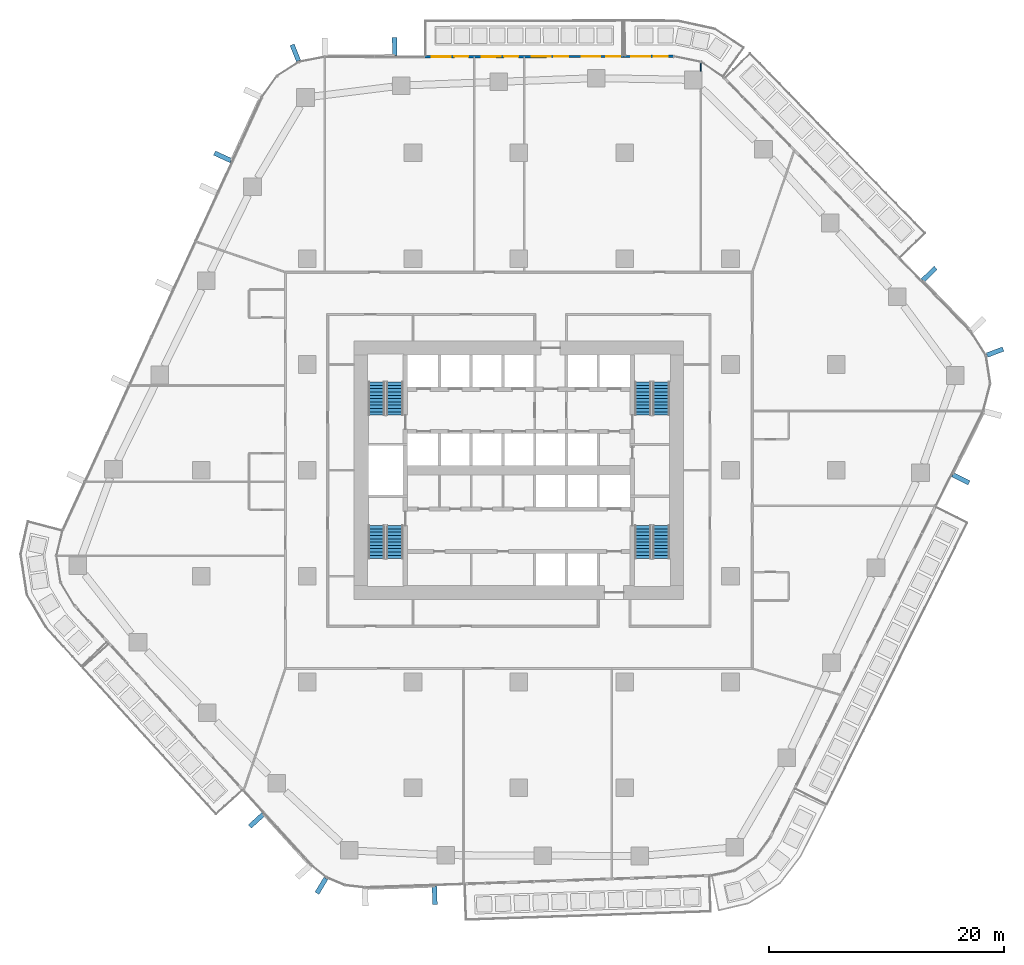
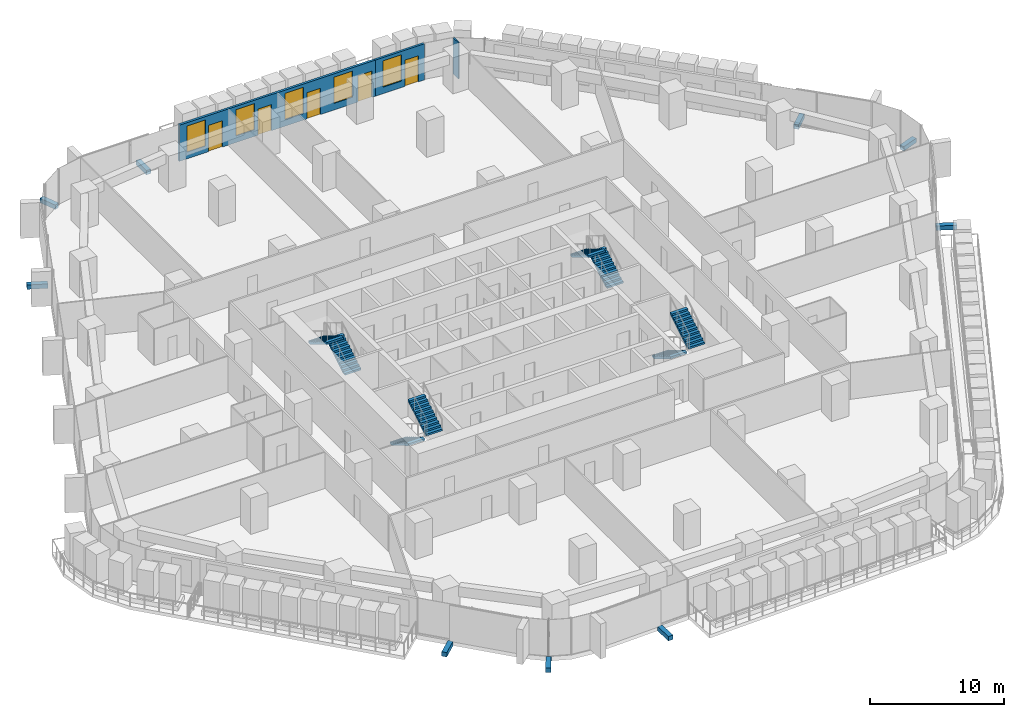
# One storey, part 18 of 26: 9 discrete accessories, 8 stair flights, 5 doors, 5 windows, 3 walls, 10 openings, 4 elements without a shape of their own.
"""IFC4 building model written with IfcOpenShell, lengths in metres."""

from ifc_helpers import new_model, si_unit, direction, frame, frame_2d, origin, origin_2d, place, context, subcontext, project, spatial, polyline, rectangle, outline, extrude, material, layer, layer_set, type_object, element, fill, aggregate, save


model = new_model("IFC4")

# Units and contexts
model_context = context("Model", 3, precision=1e-05, world=origin(), true_north=direction((0.0, 1.0)))
body_context = subcontext(model_context, "Body", "Model", "MODEL_VIEW")
ifc_project = project(units=[si_unit("LENGTHUNIT", "METRE"), si_unit("AREAUNIT", "SQUARE_METRE"), si_unit("VOLUMEUNIT", "CUBIC_METRE"), si_unit("PLANEANGLEUNIT", "RADIAN"), si_unit("MASSUNIT", "GRAM", prefix="KILO")], contexts=[model_context])

# Site, building, storey
site_placement = place(None, origin())
site = spatial("IfcSite", under=ifc_project, at=site_placement, CompositionType="ELEMENT")
building_placement = place(site_placement, origin())
building = spatial("IfcBuilding", under=site, at=building_placement, Name="Dongbaek Canopy Tower", CompositionType="ELEMENT")
storey_placement = place(building_placement, frame((0.0, 0.0, 69.89990234375)))
storey = spatial("IfcBuildingStorey", under=building, at=storey_placement, Name="L13", CompositionType="ELEMENT", Elevation=69.89990234375)

# Wall
ifc_material_1 = material(Name="Gypsum board partition, steel stud, 2 x 12.5 mm board", Category="steel")
ifc_layer_1 = layer(ifc_material_1, 0.10009765625)
ifc_layer_set_1 = layer_set([ifc_layer_1], Name="Partition 100 gypsum board")
wall_type_1 = type_object("IfcWallType", Name="Partition 100 gypsum board", PredefinedType="PARTITIONING", material=ifc_layer_set_1)
wall_1_placement = place(storey_placement, frame((15.47607421875, 33.944091796875, 0.0), z_axis=(0.0, 0.0, 1.0), x_axis=(0.0, 1.0, 0.0)))
element("IfcWall", 1, at=wall_1_placement, inside=storey, type_object=wall_type_1, Name="Partition", PredefinedType="PARTITIONING", context=body_context, shape_type="SweptSolid", body=[
    extrude(rectangle(XDim=0.76171875, YDim=0.10009765625, at=frame_2d((0.380859375, 0.0))), origin(), (0.0, 0.0, 1.0), 3.300048828125),
])

# Wall, openings, doors, windows
ifc_material_2 = material(Name="Aluminium window wall", Category="aluminium")
ifc_layer_2 = layer(ifc_material_2, 0.199951171875)
ifc_layer_set_2 = layer_set([ifc_layer_2], Name="Window wall 200")
wall_type_2 = type_object("IfcWallType", Name="Window wall 200", PredefinedType="SOLIDWALL", material=ifc_layer_set_2)
wall_2_placement = place(storey_placement, frame((8.934326171875, 35.189697265625, 0.0), z_axis=(0.0, 0.0, 1.0), x_axis=(-0.999998964441, -0.001439137329, 0.0)))
wall_2 = element("IfcWall", 2, at=wall_2_placement, inside=storey, type_object=wall_type_2, Name="Window wall L13 2", PredefinedType="SOLIDWALL", context=body_context, shape_type="SweptSolid", body=[
    extrude(rectangle(XDim=16.96435546875, YDim=0.199951171875, at=frame_2d((8.482177734375, 0.0))), origin(), (0.0, 0.0, 1.0), 3.300048828125),
])
opening_1_placement = place(wall_2_placement, frame((2.0, 0.0, 0.60009765625)))
opening_1 = element("IfcOpeningElement", 3, at=opening_1_placement, cuts=wall_2, Name="Opening W1", PredefinedType="OPENING", context=body_context, shape_type="SweptSolid", body=[
    extrude(rectangle(XDim=1.60009765625, YDim=2.39990234375, at=frame_2d((0.800048828125, 1.199951171875))), frame((0.0, 0.10986328125, 0.0), z_axis=(0.0, -1.0, 0.0), x_axis=(1.0, 0.0, 0.0)), (0.0, 0.0, 1.0), 0.219970703125),
])
opening_2_placement = place(wall_2_placement, frame((0.300048828125, 0.0, 0.0)))
opening_2 = element("IfcOpeningElement", 4, at=opening_2_placement, cuts=wall_2, Name="Opening L13-B06", PredefinedType="OPENING", context=body_context, shape_type="SweptSolid", body=[
    extrude(rectangle(XDim=1.199951171875, YDim=2.39990234375, at=frame_2d((0.60009765625, 1.199951171875))), frame((0.0, 0.10986328125, 0.0), z_axis=(0.0, -1.0, 0.0), x_axis=(1.0, 0.0, 0.0)), (0.0, 0.0, 1.0), 0.219970703125),
])
opening_3_placement = place(wall_2_placement, frame((6.2412109375, 0.0, 0.60009765625)))
opening_3 = element("IfcOpeningElement", 5, at=opening_3_placement, cuts=wall_2, Name="Opening W1", PredefinedType="OPENING", context=body_context, shape_type="SweptSolid", body=[
    extrude(rectangle(XDim=1.60009765625, YDim=2.39990234375, at=frame_2d((0.800048828125, 1.199951171875))), frame((0.0, 0.10986328125, 0.0), z_axis=(0.0, -1.0, 0.0), x_axis=(1.0, 0.0, 0.0)), (0.0, 0.0, 1.0), 0.219970703125),
])
opening_4_placement = place(wall_2_placement, frame((4.7412109375, 0.0, 0.0)))
opening_4 = element("IfcOpeningElement", 6, at=opening_4_placement, cuts=wall_2, Name="Opening L13-B07", PredefinedType="OPENING", context=body_context, shape_type="SweptSolid", body=[
    extrude(rectangle(XDim=1.199951171875, YDim=2.39990234375, at=frame_2d((0.60009765625, 1.199951171875))), frame((0.0, 0.10986328125, 0.0), z_axis=(0.0, -1.0, 0.0), x_axis=(1.0, 0.0, 0.0)), (0.0, 0.0, 1.0), 0.219970703125),
])
opening_5_placement = place(wall_2_placement, frame((10.482177734375, 0.0, 0.60009765625)))
opening_5 = element("IfcOpeningElement", 7, at=opening_5_placement, cuts=wall_2, Name="Opening W1", PredefinedType="OPENING", context=body_context, shape_type="SweptSolid", body=[
    extrude(rectangle(XDim=1.60009765625, YDim=2.39990234375, at=frame_2d((0.800048828125, 1.199951171875))), frame((0.0, 0.10986328125, 0.0), z_axis=(0.0, -1.0, 0.0), x_axis=(1.0, 0.0, 0.0)), (0.0, 0.0, 1.0), 0.219970703125),
])
opening_6_placement = place(wall_2_placement, frame((8.982177734375, 0.0, 0.0)))
opening_6 = element("IfcOpeningElement", 8, at=opening_6_placement, cuts=wall_2, Name="Opening L13-B08", PredefinedType="OPENING", context=body_context, shape_type="SweptSolid", body=[
    extrude(rectangle(XDim=1.199951171875, YDim=2.39990234375, at=frame_2d((0.60009765625, 1.199951171875))), frame((0.0, 0.10986328125, 0.0), z_axis=(0.0, -1.0, 0.0), x_axis=(1.0, 0.0, 0.0)), (0.0, 0.0, 1.0), 0.219970703125),
])
opening_7_placement = place(wall_2_placement, frame((14.723388671875, 0.0, 0.60009765625)))
opening_7 = element("IfcOpeningElement", 9, at=opening_7_placement, cuts=wall_2, Name="Opening W1", PredefinedType="OPENING", context=body_context, shape_type="SweptSolid", body=[
    extrude(rectangle(XDim=1.60009765625, YDim=2.39990234375, at=frame_2d((0.800048828125, 1.199951171875))), frame((0.0, 0.10986328125, 0.0), z_axis=(0.0, -1.0, 0.0), x_axis=(1.0, 0.0, 0.0)), (0.0, 0.0, 1.0), 0.219970703125),
])
opening_8_placement = place(wall_2_placement, frame((13.223388671875, 0.0, 0.0)))
opening_8 = element("IfcOpeningElement", 10, at=opening_8_placement, cuts=wall_2, Name="Opening L13-B09", PredefinedType="OPENING", context=body_context, shape_type="SweptSolid", body=[
    extrude(rectangle(XDim=1.199951171875, YDim=2.39990234375, at=frame_2d((0.60009765625, 1.199951171875))), frame((0.0, 0.10986328125, 0.0), z_axis=(0.0, -1.0, 0.0), x_axis=(1.0, 0.0, 0.0)), (0.0, 0.0, 1.0), 0.219970703125),
])
ifc_material_3 = material(Name="Clear glazing in aluminium frame", Category="aluminium")
door_type = type_object("IfcDoorType", Name="Balcony door BD1 1200 x 2400", OperationType="SLIDING_TO_LEFT", PredefinedType="DOOR", material=ifc_material_3)
door_1_placement = place(opening_2_placement, origin())
door_1 = element("IfcDoor", 11, at=door_1_placement, inside=storey, type_object=door_type, Name="Balcony door L13-B06", OperationType="SLIDING_TO_LEFT", OverallHeight=2.39990234375, OverallWidth=1.199951171875, PredefinedType="DOOR", context=body_context, shape_type="SweptSolid", body=[
    extrude(rectangle(XDim=1.199951171875, YDim=2.39990234375, at=frame_2d((0.60009765625, 1.199951171875))), frame((0.0, 0.02490234375, 0.0), z_axis=(0.0, -1.0, 0.0), x_axis=(1.0, 0.0, 0.0)), (0.0, 0.0, 1.0), 0.050048828125),
])
fill(opening_2, door_1)
door_2_placement = place(opening_4_placement, origin())
door_2 = element("IfcDoor", 12, at=door_2_placement, inside=storey, type_object=door_type, Name="Balcony door L13-B07", OperationType="SLIDING_TO_LEFT", OverallHeight=2.39990234375, OverallWidth=1.199951171875, PredefinedType="DOOR", context=body_context, shape_type="SweptSolid", body=[
    extrude(rectangle(XDim=1.199951171875, YDim=2.39990234375, at=frame_2d((0.60009765625, 1.199951171875))), frame((0.0, 0.02490234375, 0.0), z_axis=(0.0, -1.0, 0.0), x_axis=(1.0, 0.0, 0.0)), (0.0, 0.0, 1.0), 0.050048828125),
])
fill(opening_4, door_2)
door_3_placement = place(opening_6_placement, origin())
door_3 = element("IfcDoor", 13, at=door_3_placement, inside=storey, type_object=door_type, Name="Balcony door L13-B08", OperationType="SLIDING_TO_LEFT", OverallHeight=2.39990234375, OverallWidth=1.199951171875, PredefinedType="DOOR", context=body_context, shape_type="SweptSolid", body=[
    extrude(rectangle(XDim=1.199951171875, YDim=2.39990234375, at=frame_2d((0.60009765625, 1.199951171875))), frame((0.0, 0.02490234375, 0.0), z_axis=(0.0, -1.0, 0.0), x_axis=(1.0, 0.0, 0.0)), (0.0, 0.0, 1.0), 0.050048828125),
])
fill(opening_6, door_3)
door_4_placement = place(opening_8_placement, origin())
door_4 = element("IfcDoor", 14, at=door_4_placement, inside=storey, type_object=door_type, Name="Balcony door L13-B09", OperationType="SLIDING_TO_LEFT", OverallHeight=2.39990234375, OverallWidth=1.199951171875, PredefinedType="DOOR", context=body_context, shape_type="SweptSolid", body=[
    extrude(rectangle(XDim=1.199951171875, YDim=2.39990234375, at=frame_2d((0.60009765625, 1.199951171875))), frame((0.0, 0.02490234375, 0.0), z_axis=(0.0, -1.0, 0.0), x_axis=(1.0, 0.0, 0.0)), (0.0, 0.0, 1.0), 0.050048828125),
])
fill(opening_8, door_4)
ifc_material_4 = material(Name="Clear glazing in aluminium frame", Category="aluminium")
window_type = type_object("IfcWindowType", Name="Window W1 1600 x 2400", PartitioningType="SINGLE_PANEL", PredefinedType="WINDOW", material=ifc_material_4)
window_1_placement = place(opening_1_placement, origin())
window_1 = element("IfcWindow", 15, at=window_1_placement, inside=storey, type_object=window_type, Name="Window L13 2.1", OverallHeight=2.39990234375, OverallWidth=1.60009765625, PartitioningType="SINGLE_PANEL", PredefinedType="WINDOW", context=body_context, shape_type="SweptSolid", body=[
    extrude(rectangle(XDim=1.60009765625, YDim=2.39990234375, at=frame_2d((0.800048828125, 1.199951171875))), frame((0.0, 0.030029296875, 0.0), z_axis=(0.0, -1.0, 0.0), x_axis=(1.0, 0.0, 0.0)), (0.0, 0.0, 1.0), 0.06005859375),
])
fill(opening_1, window_1)
window_2_placement = place(opening_3_placement, origin())
window_2 = element("IfcWindow", 16, at=window_2_placement, inside=storey, type_object=window_type, Name="Window L13 2.2", OverallHeight=2.39990234375, OverallWidth=1.60009765625, PartitioningType="SINGLE_PANEL", PredefinedType="WINDOW", context=body_context, shape_type="SweptSolid", body=[
    extrude(rectangle(XDim=1.60009765625, YDim=2.39990234375, at=frame_2d((0.800048828125, 1.199951171875))), frame((0.0, 0.030029296875, 0.0), z_axis=(0.0, -1.0, 0.0), x_axis=(1.0, 0.0, 0.0)), (0.0, 0.0, 1.0), 0.06005859375),
])
fill(opening_3, window_2)
window_3_placement = place(opening_5_placement, origin())
window_3 = element("IfcWindow", 17, at=window_3_placement, inside=storey, type_object=window_type, Name="Window L13 2.3", OverallHeight=2.39990234375, OverallWidth=1.60009765625, PartitioningType="SINGLE_PANEL", PredefinedType="WINDOW", context=body_context, shape_type="SweptSolid", body=[
    extrude(rectangle(XDim=1.60009765625, YDim=2.39990234375, at=frame_2d((0.800048828125, 1.199951171875))), frame((0.0, 0.030029296875, 0.0), z_axis=(0.0, -1.0, 0.0), x_axis=(1.0, 0.0, 0.0)), (0.0, 0.0, 1.0), 0.06005859375),
])
fill(opening_5, window_3)
window_4_placement = place(opening_7_placement, origin())
window_4 = element("IfcWindow", 18, at=window_4_placement, inside=storey, type_object=window_type, Name="Window L13 2.4", OverallHeight=2.39990234375, OverallWidth=1.60009765625, PartitioningType="SINGLE_PANEL", PredefinedType="WINDOW", context=body_context, shape_type="SweptSolid", body=[
    extrude(rectangle(XDim=1.60009765625, YDim=2.39990234375, at=frame_2d((0.800048828125, 1.199951171875))), frame((0.0, 0.030029296875, 0.0), z_axis=(0.0, -1.0, 0.0), x_axis=(1.0, 0.0, 0.0)), (0.0, 0.0, 1.0), 0.06005859375),
])
fill(opening_7, window_4)

# Wall, openings, door, window
wall_3_placement = place(storey_placement, frame((13.16552734375, 35.19580078125, 0.0), z_axis=(0.0, 0.0, 1.0), x_axis=(-0.999998959596, -0.001442500374, 0.0)))
wall_3 = element("IfcWall", 19, at=wall_3_placement, inside=storey, type_object=wall_type_2, Name="Window wall L13 6", PredefinedType="SOLIDWALL", context=body_context, shape_type="SweptSolid", body=[
    extrude(rectangle(XDim=4.231201171875, YDim=0.199951171875, at=frame_2d((2.11572265625, 0.0))), origin(), (0.0, 0.0, 1.0), 3.300048828125),
])
opening_9_placement = place(wall_3_placement, frame((2.0, 0.0, 0.60009765625)))
opening_9 = element("IfcOpeningElement", 20, at=opening_9_placement, cuts=wall_3, Name="Opening W1", PredefinedType="OPENING", context=body_context, shape_type="SweptSolid", body=[
    extrude(rectangle(XDim=1.60009765625, YDim=2.39990234375, at=frame_2d((0.800048828125, 1.199951171875))), frame((0.0, 0.10986328125, 0.0), z_axis=(0.0, -1.0, 0.0), x_axis=(1.0, 0.0, 0.0)), (0.0, 0.0, 1.0), 0.219970703125),
])
opening_10_placement = place(wall_3_placement, frame((0.5, 0.0, 0.0)))
opening_10 = element("IfcOpeningElement", 21, at=opening_10_placement, cuts=wall_3, Name="Opening L13-B10", PredefinedType="OPENING", context=body_context, shape_type="SweptSolid", body=[
    extrude(rectangle(XDim=1.199951171875, YDim=2.39990234375, at=frame_2d((0.60009765625, 1.199951171875))), frame((0.0, 0.10986328125, 0.0), z_axis=(0.0, -1.0, 0.0), x_axis=(1.0, 0.0, 0.0)), (0.0, 0.0, 1.0), 0.219970703125),
])
door_5_placement = place(opening_10_placement, origin())
door_5 = element("IfcDoor", 22, at=door_5_placement, inside=storey, type_object=door_type, Name="Balcony door L13-B10", OperationType="SLIDING_TO_LEFT", OverallHeight=2.39990234375, OverallWidth=1.199951171875, PredefinedType="DOOR", context=body_context, shape_type="SweptSolid", body=[
    extrude(rectangle(XDim=1.199951171875, YDim=2.39990234375, at=frame_2d((0.60009765625, 1.199951171875))), frame((0.0, 0.02490234375, 0.0), z_axis=(0.0, -1.0, 0.0), x_axis=(1.0, 0.0, 0.0)), (0.0, 0.0, 1.0), 0.050048828125),
])
fill(opening_10, door_5)
window_5_placement = place(opening_9_placement, origin())
window_5 = element("IfcWindow", 23, at=window_5_placement, inside=storey, type_object=window_type, Name="Window L13 6.1", OverallHeight=2.39990234375, OverallWidth=1.60009765625, PartitioningType="SINGLE_PANEL", PredefinedType="WINDOW", context=body_context, shape_type="SweptSolid", body=[
    extrude(rectangle(XDim=1.60009765625, YDim=2.39990234375, at=frame_2d((0.800048828125, 1.199951171875))), frame((0.0, 0.030029296875, 0.0), z_axis=(0.0, -1.0, 0.0), x_axis=(1.0, 0.0, 0.0)), (0.0, 0.0, 1.0), 0.06005859375),
])
fill(opening_9, window_5)

# Stair, stair flights
ifc_material_5 = material(Name="Concrete C40/50", Category="concrete")
stair_type = type_object("IfcStairType", Name="Core exit stair", PredefinedType="HALF_TURN_STAIR", material=ifc_material_5)
stair_1_placement = place(storey_placement, origin())
stair_1 = element("IfcStair", 24, at=stair_1_placement, inside=storey, type_object=stair_type, Name="L13 exit stair A", PredefinedType="HALF_TURN_STAIR")
ifc_material_6 = material(Name="Concrete C40/50", Category="concrete")
ifc_layer_3 = layer(ifc_material_6, 0.14990234375)
ifc_layer_set_3 = layer_set([ifc_layer_3], Name="Core stair flight 150 waist")
stair_flight_type = type_object("IfcStairFlightType", Name="Core stair flight 150 waist", PredefinedType="STRAIGHT", material=ifc_layer_set_3)
stair_flight_1_placement = place(storey_placement, frame((12.10009765625, 4.699951171875, 0.0), z_axis=(0.0, 0.0, 1.0), x_axis=(0.0, 1.0, 0.0)))
stair_flight_1 = element("IfcStairFlight", 25, at=stair_flight_1_placement, type_object=stair_flight_type, Name="ST-A flight 1", NumberOfRisers=11, NumberOfTreads=10, PredefinedType="STRAIGHT", RiserHeight=0.168181818, TreadLength=0.28, context=body_context, shape_type="SweptSolid", body=[
    extrude(outline(polyline([(0.0, 0.0), (0.0, 0.168212890625), (0.280029296875, 0.168212890625), (0.280029296875, 0.33642578125), (0.56005859375, 0.33642578125), (0.56005859375, 0.504638671875), (0.840087890625, 0.504638671875), (0.840087890625, 0.672607421875), (1.1201171875, 0.672607421875), (1.1201171875, 0.8408203125), (1.39990234375, 0.8408203125), (1.39990234375, 1.009033203125), (1.679931640625, 1.009033203125), (1.679931640625, 1.17724609375), (1.9599609375, 1.17724609375), (1.9599609375, 1.345458984375), (2.239990234375, 1.345458984375), (2.239990234375, 1.513671875), (2.52001953125, 1.513671875), (2.52001953125, 1.681884765625), (2.800048828125, 1.681884765625), (2.800048828125, 1.85009765625), (2.800048828125, 1.5068359375), (0.291015625, 0.0), (0.0, 0.0)])), frame((0.0, 0.699951171875, 0.0), z_axis=(0.0, -1.0, 0.0), x_axis=(1.0, 0.0, 0.0)), (0.0, 0.0, 1.0), 1.39990234375),
])
stair_flight_2_placement = place(storey_placement, frame((10.550048828125, 7.5, 1.85009765625), z_axis=(0.0, 0.0, 1.0), x_axis=(0.0, -1.0, 0.0)))
stair_flight_2 = element("IfcStairFlight", 26, at=stair_flight_2_placement, type_object=stair_flight_type, Name="ST-A flight 2", NumberOfRisers=11, NumberOfTreads=10, PredefinedType="STRAIGHT", RiserHeight=0.168181818, TreadLength=0.28, context=body_context, shape_type="SweptSolid", body=[
    extrude(outline(polyline([(0.0, 0.0), (0.0, 0.168212890625), (0.280029296875, 0.168212890625), (0.280029296875, 0.33642578125), (0.56005859375, 0.33642578125), (0.56005859375, 0.504638671875), (0.840087890625, 0.504638671875), (0.840087890625, 0.672607421875), (1.1201171875, 0.672607421875), (1.1201171875, 0.8408203125), (1.39990234375, 0.8408203125), (1.39990234375, 1.009033203125), (1.679931640625, 1.009033203125), (1.679931640625, 1.17724609375), (1.9599609375, 1.17724609375), (1.9599609375, 1.345458984375), (2.239990234375, 1.345458984375), (2.239990234375, 1.513671875), (2.52001953125, 1.513671875), (2.52001953125, 1.681884765625), (2.800048828125, 1.681884765625), (2.800048828125, 1.85009765625), (2.800048828125, 1.5068359375), (0.291015625, 0.0), (0.0, 0.0)])), frame((0.0, 0.699951171875, 0.0), z_axis=(0.0, -1.0, 0.0), x_axis=(1.0, 0.0, 0.0)), (0.0, 0.0, 1.0), 1.39990234375),
])
aggregate(stair_1, [stair_flight_1, stair_flight_2])

stair_2_placement = place(storey_placement, origin())
stair_2 = element("IfcStair", 27, at=stair_2_placement, inside=storey, type_object=stair_type, Name="L13 exit stair C", PredefinedType="HALF_TURN_STAIR")
stair_flight_3_placement = place(storey_placement, frame((-10.550048828125, 4.699951171875, 0.0), z_axis=(0.0, 0.0, 1.0), x_axis=(0.0, 1.0, 0.0)))
stair_flight_3 = element("IfcStairFlight", 28, at=stair_flight_3_placement, type_object=stair_flight_type, Name="ST-C flight 1", NumberOfRisers=11, NumberOfTreads=10, PredefinedType="STRAIGHT", RiserHeight=0.168181818, TreadLength=0.28, context=body_context, shape_type="SweptSolid", body=[
    extrude(outline(polyline([(0.0, 0.0), (0.0, 0.168212890625), (0.280029296875, 0.168212890625), (0.280029296875, 0.33642578125), (0.56005859375, 0.33642578125), (0.56005859375, 0.504638671875), (0.840087890625, 0.504638671875), (0.840087890625, 0.672607421875), (1.1201171875, 0.672607421875), (1.1201171875, 0.8408203125), (1.39990234375, 0.8408203125), (1.39990234375, 1.009033203125), (1.679931640625, 1.009033203125), (1.679931640625, 1.17724609375), (1.9599609375, 1.17724609375), (1.9599609375, 1.345458984375), (2.239990234375, 1.345458984375), (2.239990234375, 1.513671875), (2.52001953125, 1.513671875), (2.52001953125, 1.681884765625), (2.800048828125, 1.681884765625), (2.800048828125, 1.85009765625), (2.800048828125, 1.5068359375), (0.291015625, 0.0), (0.0, 0.0)])), frame((0.0, 0.699951171875, 0.0), z_axis=(0.0, -1.0, 0.0), x_axis=(1.0, 0.0, 0.0)), (0.0, 0.0, 1.0), 1.39990234375),
])
stair_flight_4_placement = place(storey_placement, frame((-12.10009765625, 7.5, 1.85009765625), z_axis=(0.0, 0.0, 1.0), x_axis=(0.0, -1.0, 0.0)))
stair_flight_4 = element("IfcStairFlight", 29, at=stair_flight_4_placement, type_object=stair_flight_type, Name="ST-C flight 2", NumberOfRisers=11, NumberOfTreads=10, PredefinedType="STRAIGHT", RiserHeight=0.168181818, TreadLength=0.28, context=body_context, shape_type="SweptSolid", body=[
    extrude(outline(polyline([(0.0, 0.0), (0.0, 0.168212890625), (0.280029296875, 0.168212890625), (0.280029296875, 0.33642578125), (0.56005859375, 0.33642578125), (0.56005859375, 0.504638671875), (0.840087890625, 0.504638671875), (0.840087890625, 0.672607421875), (1.1201171875, 0.672607421875), (1.1201171875, 0.8408203125), (1.39990234375, 0.8408203125), (1.39990234375, 1.009033203125), (1.679931640625, 1.009033203125), (1.679931640625, 1.17724609375), (1.9599609375, 1.17724609375), (1.9599609375, 1.345458984375), (2.239990234375, 1.345458984375), (2.239990234375, 1.513671875), (2.52001953125, 1.513671875), (2.52001953125, 1.681884765625), (2.800048828125, 1.681884765625), (2.800048828125, 1.85009765625), (2.800048828125, 1.5068359375), (0.291015625, 0.0), (0.0, 0.0)])), frame((0.0, 0.699951171875, 0.0), z_axis=(0.0, -1.0, 0.0), x_axis=(1.0, 0.0, 0.0)), (0.0, 0.0, 1.0), 1.39990234375),
])
aggregate(stair_2, [stair_flight_3, stair_flight_4])

stair_3_placement = place(storey_placement, origin())
stair_3 = element("IfcStair", 30, at=stair_3_placement, inside=storey, type_object=stair_type, Name="L13 exit stair B", PredefinedType="HALF_TURN_STAIR")
stair_flight_5_placement = place(storey_placement, frame((10.550048828125, -4.699951171875, 0.0), z_axis=(0.0, 0.0, 1.0), x_axis=(0.0, -1.0, 0.0)))
stair_flight_5 = element("IfcStairFlight", 31, at=stair_flight_5_placement, type_object=stair_flight_type, Name="ST-B flight 1", NumberOfRisers=11, NumberOfTreads=10, PredefinedType="STRAIGHT", RiserHeight=0.168181818, TreadLength=0.28, context=body_context, shape_type="SweptSolid", body=[
    extrude(outline(polyline([(0.0, 0.0), (0.0, 0.168212890625), (0.280029296875, 0.168212890625), (0.280029296875, 0.33642578125), (0.56005859375, 0.33642578125), (0.56005859375, 0.504638671875), (0.840087890625, 0.504638671875), (0.840087890625, 0.672607421875), (1.1201171875, 0.672607421875), (1.1201171875, 0.8408203125), (1.39990234375, 0.8408203125), (1.39990234375, 1.009033203125), (1.679931640625, 1.009033203125), (1.679931640625, 1.17724609375), (1.9599609375, 1.17724609375), (1.9599609375, 1.345458984375), (2.239990234375, 1.345458984375), (2.239990234375, 1.513671875), (2.52001953125, 1.513671875), (2.52001953125, 1.681884765625), (2.800048828125, 1.681884765625), (2.800048828125, 1.85009765625), (2.800048828125, 1.5068359375), (0.291015625, 0.0), (0.0, 0.0)])), frame((0.0, 0.699951171875, 0.0), z_axis=(0.0, -1.0, 0.0), x_axis=(1.0, 0.0, 0.0)), (0.0, 0.0, 1.0), 1.39990234375),
])
stair_flight_6_placement = place(storey_placement, frame((12.10009765625, -7.5, 1.85009765625), z_axis=(0.0, 0.0, 1.0), x_axis=(0.0, 1.0, 0.0)))
stair_flight_6 = element("IfcStairFlight", 32, at=stair_flight_6_placement, type_object=stair_flight_type, Name="ST-B flight 2", NumberOfRisers=11, NumberOfTreads=10, PredefinedType="STRAIGHT", RiserHeight=0.168181818, TreadLength=0.28, context=body_context, shape_type="SweptSolid", body=[
    extrude(outline(polyline([(0.0, 0.0), (0.0, 0.168212890625), (0.280029296875, 0.168212890625), (0.280029296875, 0.33642578125), (0.56005859375, 0.33642578125), (0.56005859375, 0.504638671875), (0.840087890625, 0.504638671875), (0.840087890625, 0.672607421875), (1.1201171875, 0.672607421875), (1.1201171875, 0.8408203125), (1.39990234375, 0.8408203125), (1.39990234375, 1.009033203125), (1.679931640625, 1.009033203125), (1.679931640625, 1.17724609375), (1.9599609375, 1.17724609375), (1.9599609375, 1.345458984375), (2.239990234375, 1.345458984375), (2.239990234375, 1.513671875), (2.52001953125, 1.513671875), (2.52001953125, 1.681884765625), (2.800048828125, 1.681884765625), (2.800048828125, 1.85009765625), (2.800048828125, 1.5068359375), (0.291015625, 0.0), (0.0, 0.0)])), frame((0.0, 0.699951171875, 0.0), z_axis=(0.0, -1.0, 0.0), x_axis=(1.0, 0.0, 0.0)), (0.0, 0.0, 1.0), 1.39990234375),
])
aggregate(stair_3, [stair_flight_5, stair_flight_6])

stair_4_placement = place(storey_placement, origin())
stair_4 = element("IfcStair", 33, at=stair_4_placement, inside=storey, type_object=stair_type, Name="L13 exit stair D", PredefinedType="HALF_TURN_STAIR")
stair_flight_7_placement = place(storey_placement, frame((-12.10009765625, -4.699951171875, 0.0), z_axis=(0.0, 0.0, 1.0), x_axis=(0.0, -1.0, 0.0)))
stair_flight_7 = element("IfcStairFlight", 34, at=stair_flight_7_placement, type_object=stair_flight_type, Name="ST-D flight 1", NumberOfRisers=11, NumberOfTreads=10, PredefinedType="STRAIGHT", RiserHeight=0.168181818, TreadLength=0.28, context=body_context, shape_type="SweptSolid", body=[
    extrude(outline(polyline([(0.0, 0.0), (0.0, 0.168212890625), (0.280029296875, 0.168212890625), (0.280029296875, 0.33642578125), (0.56005859375, 0.33642578125), (0.56005859375, 0.504638671875), (0.840087890625, 0.504638671875), (0.840087890625, 0.672607421875), (1.1201171875, 0.672607421875), (1.1201171875, 0.8408203125), (1.39990234375, 0.8408203125), (1.39990234375, 1.009033203125), (1.679931640625, 1.009033203125), (1.679931640625, 1.17724609375), (1.9599609375, 1.17724609375), (1.9599609375, 1.345458984375), (2.239990234375, 1.345458984375), (2.239990234375, 1.513671875), (2.52001953125, 1.513671875), (2.52001953125, 1.681884765625), (2.800048828125, 1.681884765625), (2.800048828125, 1.85009765625), (2.800048828125, 1.5068359375), (0.291015625, 0.0), (0.0, 0.0)])), frame((0.0, 0.699951171875, 0.0), z_axis=(0.0, -1.0, 0.0), x_axis=(1.0, 0.0, 0.0)), (0.0, 0.0, 1.0), 1.39990234375),
])
stair_flight_8_placement = place(storey_placement, frame((-10.550048828125, -7.5, 1.85009765625), z_axis=(0.0, 0.0, 1.0), x_axis=(0.0, 1.0, 0.0)))
stair_flight_8 = element("IfcStairFlight", 35, at=stair_flight_8_placement, type_object=stair_flight_type, Name="ST-D flight 2", NumberOfRisers=11, NumberOfTreads=10, PredefinedType="STRAIGHT", RiserHeight=0.168181818, TreadLength=0.28, context=body_context, shape_type="SweptSolid", body=[
    extrude(outline(polyline([(0.0, 0.0), (0.0, 0.168212890625), (0.280029296875, 0.168212890625), (0.280029296875, 0.33642578125), (0.56005859375, 0.33642578125), (0.56005859375, 0.504638671875), (0.840087890625, 0.504638671875), (0.840087890625, 0.672607421875), (1.1201171875, 0.672607421875), (1.1201171875, 0.8408203125), (1.39990234375, 0.8408203125), (1.39990234375, 1.009033203125), (1.679931640625, 1.009033203125), (1.679931640625, 1.17724609375), (1.9599609375, 1.17724609375), (1.9599609375, 1.345458984375), (2.239990234375, 1.345458984375), (2.239990234375, 1.513671875), (2.52001953125, 1.513671875), (2.52001953125, 1.681884765625), (2.800048828125, 1.681884765625), (2.800048828125, 1.85009765625), (2.800048828125, 1.5068359375), (0.291015625, 0.0), (0.0, 0.0)])), frame((0.0, 0.699951171875, 0.0), z_axis=(0.0, -1.0, 0.0), x_axis=(1.0, 0.0, 0.0)), (0.0, 0.0, 1.0), 1.39990234375),
])
aggregate(stair_4, [stair_flight_7, stair_flight_8])

# Discrete accessories
ifc_material_7 = material(Name="Galvanised steel S355 bracket", Category="steel")
discrete_accessory_type = type_object("IfcDiscreteAccessoryType", Name="Crease fin bracket BR3 400", PredefinedType="BRACKET", material=ifc_material_7)
discrete_accessory_1_placement = place(storey_placement, frame((37.5751953125, -0.71435546875, -0.39990234375), z_axis=(0.0, 0.0, 1.0), x_axis=(0.89482297075, -0.446421158793, 0.0)))
element("IfcDiscreteAccessory", 36, at=discrete_accessory_1_placement, inside=storey, type_object=discrete_accessory_type, Name="Crease fin bracket L13 F5", PredefinedType="BRACKET", context=body_context, shape_type="SweptSolid", body=[
    extrude(rectangle(XDim=1.5625, YDim=0.39990234375, at=origin_2d()), origin(), (0.0, 0.0, 1.0), 0.39990234375),
])
discrete_accessory_2_placement = place(storey_placement, frame((34.890625, 16.68017578125, -0.39990234375), z_axis=(0.0, 0.0, 1.0), x_axis=(0.717186761039, 0.696881015519, 0.0)))
element("IfcDiscreteAccessory", 37, at=discrete_accessory_2_placement, inside=storey, type_object=discrete_accessory_type, Name="Crease fin bracket L13 F0", PredefinedType="BRACKET", context=body_context, shape_type="SweptSolid", body=[
    extrude(rectangle(XDim=1.552490234375, YDim=0.39990234375, at=origin_2d()), origin(), (0.0, 0.0, 1.0), 0.39990234375),
])
discrete_accessory_3_placement = place(storey_placement, frame((-10.563720703125, 36.03857421875, -0.39990234375), z_axis=(0.0, 0.0, 1.0), x_axis=(-0.001434660153, 0.999998970875, 0.0)))
element("IfcDiscreteAccessory", 38, at=discrete_accessory_3_placement, inside=storey, type_object=discrete_accessory_type, Name="Crease fin bracket L13 F1", PredefinedType="BRACKET", context=body_context, shape_type="SweptSolid", body=[
    extrude(rectangle(XDim=1.5537109375, YDim=0.39990234375, at=origin_2d()), origin(), (0.0, 0.0, 1.0), 0.39990234375),
])
discrete_accessory_4_placement = place(storey_placement, frame((-25.16796875, 26.652099609375, -0.39990234375), z_axis=(0.0, 0.0, 1.0), x_axis=(-0.908435961718, 0.418024046506, 0.0)))
element("IfcDiscreteAccessory", 39, at=discrete_accessory_4_placement, inside=storey, type_object=discrete_accessory_type, Name="Crease fin bracket L13 F2", PredefinedType="BRACKET", context=body_context, shape_type="SweptSolid", body=[
    extrude(rectangle(XDim=1.566650390625, YDim=0.39990234375, at=origin_2d()), origin(), (0.0, 0.0, 1.0), 0.39990234375),
])
discrete_accessory_5_placement = place(storey_placement, frame((-22.29931640625, -29.760986328125, -0.39990234375), z_axis=(0.0, 0.0, 1.0), x_axis=(-0.738720081608, -0.674012344864, 0.0)))
element("IfcDiscreteAccessory", 40, at=discrete_accessory_5_placement, inside=storey, type_object=discrete_accessory_type, Name="Crease fin bracket L13 F3", PredefinedType="BRACKET", context=body_context, shape_type="SweptSolid", body=[
    extrude(rectangle(XDim=1.56298828125, YDim=0.39990234375, at=origin_2d()), origin(), (0.0, 0.0, 1.0), 0.39990234375),
])
discrete_accessory_6_placement = place(storey_placement, frame((-7.15576171875, -36.131591796875, -0.39990234375), z_axis=(0.0, 0.0, 1.0), x_axis=(0.03393315715, -0.999424104595, 0.0)))
element("IfcDiscreteAccessory", 41, at=discrete_accessory_6_placement, inside=storey, type_object=discrete_accessory_type, Name="Crease fin bracket L13 F4", PredefinedType="BRACKET", context=body_context, shape_type="SweptSolid", body=[
    extrude(rectangle(XDim=1.559814453125, YDim=0.39990234375, at=origin_2d()), origin(), (0.0, 0.0, 1.0), 0.39990234375),
])
for number, where, z_axis, x_axis, name in (
    (42, (40.489501953125, 10.05322265625, -0.39990234375), (0.0, 0.0, 1.0), (0.935976609021, 0.352062192468, 0.0), "Corner fin bracket L13 K0"),
    (43, (-19.007080078125, 35.505615234375, -0.39990234375), (0.0, 0.0, 1.0), (-0.371661129954, 0.928368463748, 0.0), "Corner fin bracket L13 K2"),
    (44, (-16.784912109375, -35.323486328125, -0.39990234375), (0.0, 0.0, 1.0), (-0.516534823334, -0.856266183078, 0.0), "Corner fin bracket L13 K4"),
):
    element("IfcDiscreteAccessory", number, at=place(storey_placement, frame(where, z_axis=z_axis, x_axis=x_axis)), inside=storey, type_object=discrete_accessory_type, Name=name, PredefinedType="BRACKET", context=body_context, shape_type="SweptSolid", body=[
        extrude(rectangle(XDim=1.469970703125, YDim=0.39990234375, at=origin_2d()), origin(), (0.0, 0.0, 1.0), 0.39990234375),
    ])

save(model, "model.ifc")
